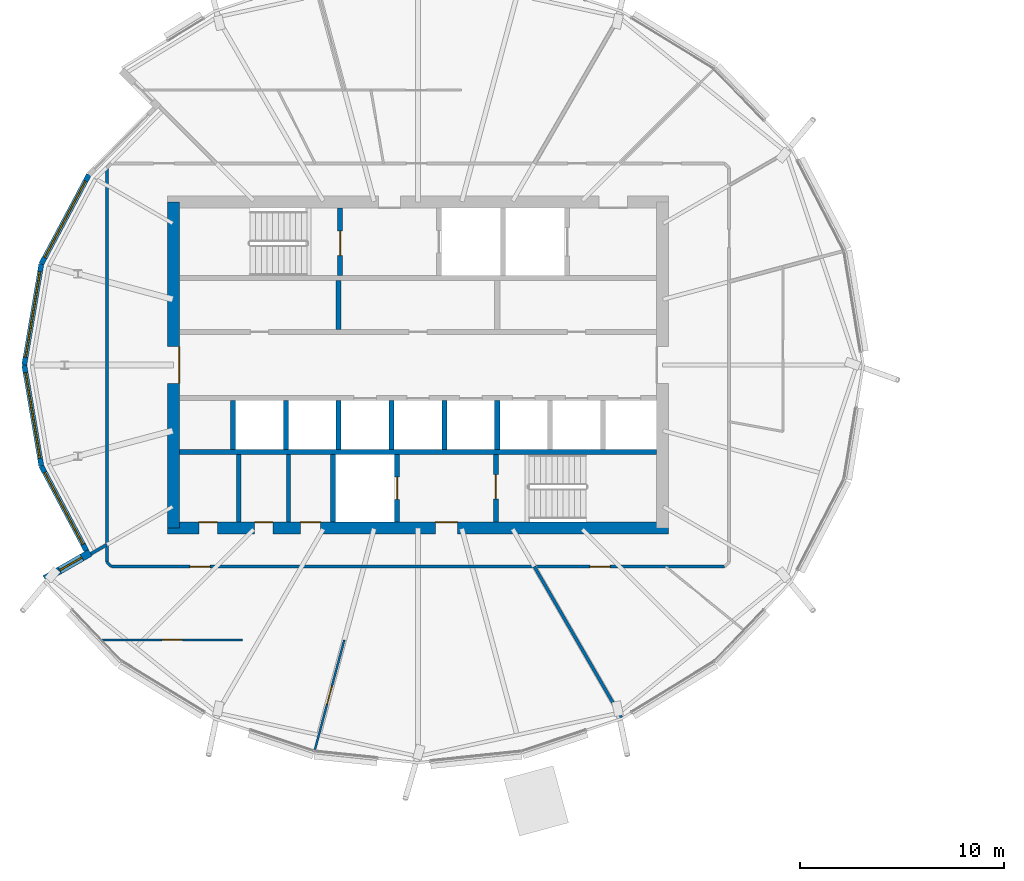
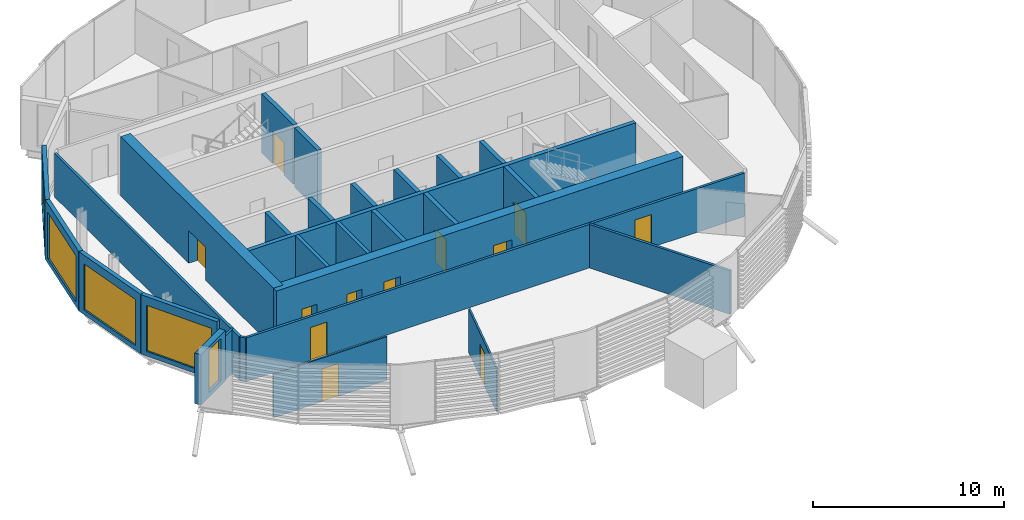
# One storey, part 19 of 38: 28 walls, 12 doors, 5 windows, 17 openings.
"""IFC4 building model written with IfcOpenShell, lengths in metres."""

from ifc_helpers import new_model, si_unit, direction, frame, frame_2d, origin, place, context, subcontext, project, spatial, rectangle, extrude, material, layer, layer_set, type_object, element, fill, save


model = new_model("IFC4")

# Units and contexts
model_context = context("Model", 3, precision=1e-05, world=origin(), true_north=direction((0.0, 1.0)))
body_context = subcontext(model_context, "Body", "Model", "MODEL_VIEW")
ifc_project = project(units=[si_unit("LENGTHUNIT", "METRE"), si_unit("AREAUNIT", "SQUARE_METRE"), si_unit("VOLUMEUNIT", "CUBIC_METRE"), si_unit("PLANEANGLEUNIT", "RADIAN"), si_unit("MASSUNIT", "GRAM", prefix="KILO")], contexts=[model_context])

# Site, building, storey
site_placement = place(None, origin())
site = spatial("IfcSite", under=ifc_project, at=site_placement, CompositionType="ELEMENT")
building_placement = place(site_placement, origin())
building = spatial("IfcBuilding", under=site, at=building_placement, Name="Rimbun Link Towers", CompositionType="ELEMENT")
storey_placement = place(building_placement, frame((0.0, 0.0, 185.5)))
storey = spatial("IfcBuildingStorey", under=building, at=storey_placement, Name="L45", CompositionType="ELEMENT", Elevation=185.5)

# Wall, opening, window
ifc_material_1 = material(Name="Dark enamelled glass spandrel on insulated aluminium backpan", Category="aluminium")
ifc_layer_1 = layer(ifc_material_1, 0.25)
ifc_layer_set_1 = layer_set([ifc_layer_1], Name="CS dark enamelled spandrel wall 250")
wall_type_1 = type_object("IfcWallType", Name="CS dark enamelled spandrel wall 250", PredefinedType="STANDARD", material=ifc_layer_set_1)
wall_1_placement = place(storey_placement, frame((-50.239501953125, 4.962890625, 0.0), z_axis=(0.0, 0.0, 1.0), x_axis=(0.469870717815, 0.882735242607, 0.0)))
wall_1 = element("IfcWall", 1, at=wall_1_placement, inside=storey, type_object=wall_type_1, Name="Crease spandrel wall", PredefinedType="STANDARD", context=body_context, shape_type="SweptSolid", body=[
    extrude(rectangle(XDim=4.963623046875, YDim=0.25, at=frame_2d((2.48193359375, 0.0))), origin(), (0.0, 0.0, 1.0), 3.800048828125),
])
opening_1_placement = place(wall_1_placement, frame((0.35693359375, 0.0, 0.300048828125)))
opening_1 = element("IfcOpeningElement", 2, at=opening_1_placement, cuts=wall_1, Name="Opening WR42H295", PredefinedType="OPENING", context=body_context, shape_type="SweptSolid", body=[
    extrude(rectangle(XDim=4.25, YDim=2.949951171875, at=frame_2d((2.125, 1.47509765625))), frame((0.0, 0.135009765625, 0.0), z_axis=(0.0, -1.0, 0.0), x_axis=(1.0, 0.0, 0.0)), (0.0, 0.0, 1.0), 0.27001953125),
])
ifc_material_2 = material(Name="Aluminium framed fixed window, dark tinted low-e glass", Category="aluminium")
window_type_1 = type_object("IfcWindowType", Name="WR ribbon window 4250X2950", PartitioningType="SINGLE_PANEL", PredefinedType="WINDOW", material=ifc_material_2)
window_1_placement = place(opening_1_placement, origin())
window_1 = element("IfcWindow", 3, at=window_1_placement, inside=storey, type_object=window_type_1, Name="Crease ribbon window", OverallHeight=2.949951171875, OverallWidth=4.25, PartitioningType="SINGLE_PANEL", PredefinedType="WINDOW", context=body_context, shape_type="SweptSolid", body=[
    extrude(rectangle(XDim=4.25, YDim=2.949951171875, at=frame_2d((2.125, 1.47509765625))), frame((0.0, 0.030029296875, 0.0), z_axis=(0.0, -1.0, 0.0), x_axis=(1.0, 0.0, 0.0)), (0.0, 0.0, 1.0), 0.06005859375),
])
fill(opening_1, window_1)

wall_2_placement = place(storey_placement, frame((-51.077880859375, 0.0, 0.0), z_axis=(0.0, 0.0, 1.0), x_axis=(0.166569559795, 0.986029706322, 0.0)))
wall_2 = element("IfcWall", 4, at=wall_2_placement, inside=storey, type_object=wall_type_1, Name="Crease spandrel wall", PredefinedType="STANDARD", context=body_context, shape_type="SweptSolid", body=[
    extrude(rectangle(XDim=5.033203125, YDim=0.25, at=frame_2d((2.5166015625, 0.0))), origin(), (0.0, 0.0, 1.0), 3.800048828125),
])
opening_2_placement = place(wall_2_placement, frame((0.3916015625, 0.0, 0.300048828125)))
opening_2 = element("IfcOpeningElement", 5, at=opening_2_placement, cuts=wall_2, Name="Opening WR42H295", PredefinedType="OPENING", context=body_context, shape_type="SweptSolid", body=[
    extrude(rectangle(XDim=4.25, YDim=2.949951171875, at=frame_2d((2.125, 1.47509765625))), frame((0.0, 0.135009765625, 0.0), z_axis=(0.0, -1.0, 0.0), x_axis=(1.0, 0.0, 0.0)), (0.0, 0.0, 1.0), 0.27001953125),
])
window_2_placement = place(opening_2_placement, origin())
window_2 = element("IfcWindow", 6, at=window_2_placement, inside=storey, type_object=window_type_1, Name="Crease ribbon window", OverallHeight=2.949951171875, OverallWidth=4.25, PartitioningType="SINGLE_PANEL", PredefinedType="WINDOW", context=body_context, shape_type="SweptSolid", body=[
    extrude(rectangle(XDim=4.25, YDim=2.949951171875, at=frame_2d((2.125, 1.47509765625))), frame((0.0, 0.030029296875, 0.0), z_axis=(0.0, -1.0, 0.0), x_axis=(1.0, 0.0, 0.0)), (0.0, 0.0, 1.0), 0.06005859375),
])
fill(opening_2, window_2)

wall_3_placement = place(storey_placement, frame((-50.239501953125, -4.962890625, 0.0), z_axis=(0.0, 0.0, 1.0), x_axis=(-0.166569559795, 0.986029706322, 0.0)))
wall_3 = element("IfcWall", 7, at=wall_3_placement, inside=storey, type_object=wall_type_1, Name="Crease spandrel wall", PredefinedType="STANDARD", context=body_context, shape_type="SweptSolid", body=[
    extrude(rectangle(XDim=5.033203125, YDim=0.25, at=frame_2d((2.5166015625, 0.0))), origin(), (0.0, 0.0, 1.0), 3.800048828125),
])
opening_3_placement = place(wall_3_placement, frame((0.3916015625, 0.0, 0.300048828125)))
opening_3 = element("IfcOpeningElement", 8, at=opening_3_placement, cuts=wall_3, Name="Opening WR42H295", PredefinedType="OPENING", context=body_context, shape_type="SweptSolid", body=[
    extrude(rectangle(XDim=4.25, YDim=2.949951171875, at=frame_2d((2.125, 1.47509765625))), frame((0.0, 0.135009765625, 0.0), z_axis=(0.0, -1.0, 0.0), x_axis=(1.0, 0.0, 0.0)), (0.0, 0.0, 1.0), 0.27001953125),
])
window_3_placement = place(opening_3_placement, origin())
window_3 = element("IfcWindow", 9, at=window_3_placement, inside=storey, type_object=window_type_1, Name="Crease ribbon window", OverallHeight=2.949951171875, OverallWidth=4.25, PartitioningType="SINGLE_PANEL", PredefinedType="WINDOW", context=body_context, shape_type="SweptSolid", body=[
    extrude(rectangle(XDim=4.25, YDim=2.949951171875, at=frame_2d((2.125, 1.47509765625))), frame((0.0, 0.030029296875, 0.0), z_axis=(0.0, -1.0, 0.0), x_axis=(1.0, 0.0, 0.0)), (0.0, 0.0, 1.0), 0.06005859375),
])
fill(opening_3, window_3)

wall_4_placement = place(storey_placement, frame((-48.03125, -9.111328125, 0.0), z_axis=(0.0, 0.0, 1.0), x_axis=(-0.469884338994, 0.882727992061, 0.0)))
wall_4 = element("IfcWall", 10, at=wall_4_placement, inside=storey, type_object=wall_type_1, Name="Crease spandrel wall", PredefinedType="STANDARD", context=body_context, shape_type="SweptSolid", body=[
    extrude(rectangle(XDim=4.699462890625, YDim=0.25, at=frame_2d((2.349609375, 0.0))), origin(), (0.0, 0.0, 1.0), 3.800048828125),
])
opening_4_placement = place(wall_4_placement, frame((0.349853515625, 0.0, 0.300048828125)))
opening_4 = element("IfcOpeningElement", 11, at=opening_4_placement, cuts=wall_4, Name="Opening WR40H295", PredefinedType="OPENING", context=body_context, shape_type="SweptSolid", body=[
    extrude(rectangle(XDim=4.0, YDim=2.949951171875, at=frame_2d((2.0, 1.47509765625))), frame((0.0, 0.135009765625, 0.0), z_axis=(0.0, -1.0, 0.0), x_axis=(1.0, 0.0, 0.0)), (0.0, 0.0, 1.0), 0.27001953125),
])
ifc_material_3 = material(Name="Aluminium framed fixed window, dark tinted low-e glass", Category="aluminium")
window_type_2 = type_object("IfcWindowType", Name="WR ribbon window 4000X2950", PartitioningType="SINGLE_PANEL", PredefinedType="WINDOW", material=ifc_material_3)
window_4_placement = place(opening_4_placement, origin())
window_4 = element("IfcWindow", 12, at=window_4_placement, inside=storey, type_object=window_type_2, Name="Crease ribbon window", OverallHeight=2.949951171875, OverallWidth=4.0, PartitioningType="SINGLE_PANEL", PredefinedType="WINDOW", context=body_context, shape_type="SweptSolid", body=[
    extrude(rectangle(XDim=4.0, YDim=2.949951171875, at=frame_2d((2.0, 1.47509765625))), frame((0.0, 0.030029296875, 0.0), z_axis=(0.0, -1.0, 0.0), x_axis=(1.0, 0.0, 0.0)), (0.0, 0.0, 1.0), 0.06005859375),
])
fill(opening_4, window_4)

ifc_material_4 = material(Name="Dark enamelled glass spandrel on insulated aluminium backpan", Category="aluminium")
ifc_layer_2 = layer(ifc_material_4, 0.3701171875)
ifc_layer_set_2 = layer_set([ifc_layer_2], Name="CS dark enamelled spandrel wall 370")
wall_type_2 = type_object("IfcWallType", Name="CS dark enamelled spandrel wall 370", PredefinedType="STANDARD", material=ifc_layer_set_2)
wall_5_placement = place(storey_placement, frame((-50.072265625, -10.50341796875, 0.0), z_axis=(0.0, 0.0, 1.0), x_axis=(0.866021702275, 0.500006411147, 0.0)))
wall_5 = element("IfcWall", 13, at=wall_5_placement, inside=storey, type_object=wall_type_2, Name="Crease spandrel wall", PredefinedType="STANDARD", context=body_context, shape_type="SweptSolid", body=[
    extrude(rectangle(XDim=2.580078125, YDim=0.3701171875, at=frame_2d((1.2900390625, 0.0))), origin(), (0.0, 0.0, 1.0), 3.233642578125),
])
opening_5_placement = place(wall_5_placement, frame((0.850830078125, 0.0, 0.300048828125)))
opening_5 = element("IfcOpeningElement", 14, at=opening_5_placement, cuts=wall_5, Name="Opening WR12H270", PredefinedType="OPENING", context=body_context, shape_type="SweptSolid", body=[
    extrude(rectangle(XDim=1.25, YDim=2.699951171875, at=frame_2d((0.625, 1.35009765625))), frame((0.0, 0.195068359375, 0.0), z_axis=(0.0, -1.0, 0.0), x_axis=(1.0, 0.0, 0.0)), (0.0, 0.0, 1.0), 0.39013671875),
])
ifc_material_5 = material(Name="Aluminium framed fixed window, dark tinted low-e glass", Category="aluminium")
window_type_3 = type_object("IfcWindowType", Name="WR ribbon window 1250X2700", PartitioningType="SINGLE_PANEL", PredefinedType="WINDOW", material=ifc_material_5)
window_5_placement = place(opening_5_placement, origin())
window_5 = element("IfcWindow", 15, at=window_5_placement, inside=storey, type_object=window_type_3, Name="Crease ribbon window", OverallHeight=2.699951171875, OverallWidth=1.25, PartitioningType="SINGLE_PANEL", PredefinedType="WINDOW", context=body_context, shape_type="SweptSolid", body=[
    extrude(rectangle(XDim=1.25, YDim=2.699951171875, at=frame_2d((0.625, 1.35009765625))), frame((0.0, 0.030029296875, 0.0), z_axis=(0.0, -1.0, 0.0), x_axis=(1.0, 0.0, 0.0)), (0.0, 0.0, 1.0), 0.06005859375),
])
fill(opening_5, window_5)

# Walls
ifc_material_6 = material(Name="Masonry blockwork", Category="masonry")
ifc_layer_3 = layer(ifc_material_6, 0.199951171875)
ifc_layer_set_3 = layer_set([ifc_layer_3], Name="Core partition 200")
wall_type_3 = type_object("IfcWallType", Name="Core partition 200", PredefinedType="PARTITIONING", material=ifc_layer_set_3)
for number, where, z_axis, x_axis, name in (
    (16, (-40.550048828125, -4.39990234375, 0.0), (0.0, 0.0, 1.0), (0.0, -1.0, 0.0), "L45 T1 core wall C1"),
    (17, (-38.10009765625, -4.39990234375, 0.0), (0.0, 0.0, 1.0), (0.0, -1.0, 0.0), "L45 T1 core wall C2"),
):
    element("IfcWall", number, at=place(storey_placement, frame(where, z_axis=z_axis, x_axis=x_axis)), inside=storey, type_object=wall_type_3, Name=name, PredefinedType="PARTITIONING", context=body_context, shape_type="SweptSolid", body=[
        extrude(rectangle(XDim=3.300048828125, YDim=0.199951171875, at=frame_2d((1.64990234375, 0.0))), origin(), (0.0, 0.0, 1.0), 3.800048828125),
    ])

# Wall, openings, doors
ifc_material_7 = material(Name="Concrete C60/75", Category="concrete")
ifc_layer_4 = layer(ifc_material_7, 0.60009765625)
ifc_layer_set_4 = layer_set([ifc_layer_4], Name="Core shear wall 600")
wall_type_4 = type_object("IfcWallType", Name="Core shear wall 600", PredefinedType="SHEAR", material=ifc_layer_set_4)
wall_6_placement = place(storey_placement, frame((-44.050048828125, -8.0, 0.0), z_axis=(0.0, 0.0, 1.0), x_axis=(1.0, 0.0, 0.0)))
wall_6 = element("IfcWall", 18, at=wall_6_placement, inside=storey, type_object=wall_type_4, Name="L45 T1 core wall S", PredefinedType="SHEAR", context=body_context, shape_type="SweptSolid", body=[
    extrude(rectangle(XDim=24.60009765625, YDim=0.60009765625, at=frame_2d((12.300048828125, 0.0))), origin(), (0.0, 0.0, 1.0), 3.800048828125),
])
opening_6_placement = place(wall_6_placement, frame((13.14990234375, 0.0, 0.0)))
opening_6 = element("IfcOpeningElement", 19, at=opening_6_placement, cuts=wall_6, Name="Opening C1DCF01S", PredefinedType="OPENING", context=body_context, shape_type="SweptSolid", body=[
    extrude(rectangle(XDim=1.10009765625, YDim=2.10009765625, at=frame_2d((0.550048828125, 1.050048828125))), frame((0.0, 0.31005859375, 0.0), z_axis=(0.0, -1.0, 0.0), x_axis=(1.0, 0.0, 0.0)), (0.0, 0.0, 1.0), 0.6201171875),
])
opening_7_placement = place(wall_6_placement, frame((1.550048828125, 0.0, 0.0)))
opening_7 = element("IfcOpeningElement", 20, at=opening_7_placement, cuts=wall_6, Name="Opening C1DWC02S", PredefinedType="OPENING", context=body_context, shape_type="SweptSolid", body=[
    extrude(rectangle(XDim=0.89990234375, YDim=2.10009765625, at=frame_2d((0.449951171875, 1.050048828125))), frame((0.0, 0.31005859375, 0.0), z_axis=(0.0, -1.0, 0.0), x_axis=(1.0, 0.0, 0.0)), (0.0, 0.0, 1.0), 0.6201171875),
])
opening_8_placement = place(wall_6_placement, frame((4.27490234375, 0.0, 0.0)))
opening_8 = element("IfcOpeningElement", 21, at=opening_8_placement, cuts=wall_6, Name="Opening C1DWC03S", PredefinedType="OPENING", context=body_context, shape_type="SweptSolid", body=[
    extrude(rectangle(XDim=0.89990234375, YDim=2.10009765625, at=frame_2d((0.449951171875, 1.050048828125))), frame((0.0, 0.31005859375, 0.0), z_axis=(0.0, -1.0, 0.0), x_axis=(1.0, 0.0, 0.0)), (0.0, 0.0, 1.0), 0.6201171875),
])
opening_9_placement = place(wall_6_placement, frame((6.52490234375, 0.0, 0.0)))
opening_9 = element("IfcOpeningElement", 22, at=opening_9_placement, cuts=wall_6, Name="Opening C1DAW04S", PredefinedType="OPENING", context=body_context, shape_type="SweptSolid", body=[
    extrude(rectangle(XDim=1.0, YDim=2.10009765625, at=frame_2d((0.5, 1.050048828125))), frame((0.0, 0.31005859375, 0.0), z_axis=(0.0, -1.0, 0.0), x_axis=(1.0, 0.0, 0.0)), (0.0, 0.0, 1.0), 0.6201171875),
])
ifc_material_8 = material(Name="Timber", Category="wood")
door_type_1 = type_object("IfcDoorType", Name="Accessible WC door", OperationType="SINGLE_SWING_LEFT", PredefinedType="DOOR", material=ifc_material_8)
door_1_placement = place(opening_9_placement, origin())
door_1 = element("IfcDoor", 23, at=door_1_placement, inside=storey, type_object=door_type_1, Name="L45 T1 accessible wc door", OperationType="SINGLE_SWING_LEFT", OverallHeight=2.10009765625, OverallWidth=1.0, PredefinedType="DOOR", context=body_context, shape_type="SweptSolid", body=[
    extrude(rectangle(XDim=1.0, YDim=2.10009765625, at=frame_2d((0.5, 1.050048828125))), frame((0.0, 0.2998046875, 0.0), z_axis=(0.0, -1.0, 0.0), x_axis=(1.0, 0.0, 0.0)), (0.0, 0.0, 1.0), 0.050048828125),
])
fill(opening_9, door_1)
ifc_material_9 = material(Name="Steel fire door set", Category="steel")
door_type_2 = type_object("IfcDoorType", Name="Core fire door single", OperationType="SINGLE_SWING_LEFT", PredefinedType="DOOR", material=ifc_material_9)
door_2_placement = place(opening_6_placement, origin())
door_2 = element("IfcDoor", 24, at=door_2_placement, inside=storey, type_object=door_type_2, Name="L45 T1 firefighting lobby s door", OperationType="SINGLE_SWING_RIGHT", OverallHeight=2.10009765625, OverallWidth=1.10009765625, PredefinedType="DOOR", context=body_context, shape_type="SweptSolid", body=[
    extrude(rectangle(XDim=1.10009765625, YDim=2.10009765625, at=frame_2d((0.550048828125, 1.050048828125))), frame((0.0, 0.2998046875, 0.0), z_axis=(0.0, -1.0, 0.0), x_axis=(1.0, 0.0, 0.0)), (0.0, 0.0, 1.0), 0.050048828125),
])
fill(opening_6, door_2)
ifc_material_10 = material(Name="Timber", Category="wood")
door_type_3 = type_object("IfcDoorType", Name="WC door", OperationType="SINGLE_SWING_LEFT", PredefinedType="DOOR", material=ifc_material_10)
door_3_placement = place(opening_7_placement, origin())
door_3 = element("IfcDoor", 25, at=door_3_placement, inside=storey, type_object=door_type_3, Name="L45 T1 male wc door", OperationType="SINGLE_SWING_RIGHT", OverallHeight=2.10009765625, OverallWidth=0.89990234375, PredefinedType="DOOR", context=body_context, shape_type="SweptSolid", body=[
    extrude(rectangle(XDim=0.89990234375, YDim=2.10009765625, at=frame_2d((0.449951171875, 1.050048828125))), frame((0.0, 0.2998046875, 0.0), z_axis=(0.0, -1.0, 0.0), x_axis=(1.0, 0.0, 0.0)), (0.0, 0.0, 1.0), 0.050048828125),
])
fill(opening_7, door_3)
door_4_placement = place(opening_8_placement, origin())
door_4 = element("IfcDoor", 26, at=door_4_placement, inside=storey, type_object=door_type_3, Name="L45 T1 female wc door", OperationType="SINGLE_SWING_RIGHT", OverallHeight=2.10009765625, OverallWidth=0.89990234375, PredefinedType="DOOR", context=body_context, shape_type="SweptSolid", body=[
    extrude(rectangle(XDim=0.89990234375, YDim=2.10009765625, at=frame_2d((0.449951171875, 1.050048828125))), frame((0.0, 0.2998046875, 0.0), z_axis=(0.0, -1.0, 0.0), x_axis=(1.0, 0.0, 0.0)), (0.0, 0.0, 1.0), 0.050048828125),
])
fill(opening_8, door_4)

# Wall, opening, door
wall_7_placement = place(storey_placement, frame((-43.75, -8.0, 0.0), z_axis=(0.0, 0.0, 1.0), x_axis=(0.0, 1.0, 0.0)))
wall_7 = element("IfcWall", 27, at=wall_7_placement, inside=storey, type_object=wall_type_4, Name="L45 T1 core wall W", PredefinedType="SHEAR", context=body_context, shape_type="SweptSolid", body=[
    extrude(rectangle(XDim=16.0, YDim=0.60009765625, at=frame_2d((8.0, 0.0))), origin(), (0.0, 0.0, 1.0), 3.800048828125),
])
opening_10_placement = place(wall_7_placement, frame((7.10009765625, 0.0, 0.0)))
opening_10 = element("IfcOpeningElement", 28, at=opening_10_placement, cuts=wall_7, Name="Opening C1DCL01W", PredefinedType="OPENING", context=body_context, shape_type="SweptSolid", body=[
    extrude(rectangle(XDim=1.800048828125, YDim=2.10009765625, at=frame_2d((0.89990234375, 1.050048828125))), frame((0.0, 0.31005859375, 0.0), z_axis=(0.0, -1.0, 0.0), x_axis=(1.0, 0.0, 0.0)), (0.0, 0.0, 1.0), 0.6201171875),
])
ifc_material_11 = material(Name="Steel fire door set", Category="steel")
door_type_4 = type_object("IfcDoorType", Name="Core lobby door double", OperationType="DOUBLE_DOOR_SINGLE_SWING", PredefinedType="DOOR", material=ifc_material_11)
door_5_placement = place(opening_10_placement, origin())
door_5 = element("IfcDoor", 29, at=door_5_placement, inside=storey, type_object=door_type_4, Name="L45 T1 lift lobby door", OperationType="DOUBLE_DOOR_SINGLE_SWING", OverallHeight=2.10009765625, OverallWidth=1.800048828125, PredefinedType="DOOR", context=body_context, shape_type="SweptSolid", body=[
    extrude(rectangle(XDim=1.800048828125, YDim=2.10009765625, at=frame_2d((0.89990234375, 1.050048828125))), frame((0.0, -0.25, 0.0), z_axis=(0.0, -1.0, 0.0), x_axis=(1.0, 0.0, 0.0)), (0.0, 0.0, 1.0), 0.050048828125),
])
fill(opening_10, door_5)

# Wall, openings, doors
ifc_material_12 = material(Name="Plasterboard on steel stud, mineral wool", Category="steel")
ifc_layer_5 = layer(ifc_material_12, 0.14990234375)
ifc_layer_set_5 = layer_set([ifc_layer_5], Name="Corridor wall EI 30 150 mm")
wall_type_5 = type_object("IfcWallType", Name="Corridor wall EI 30 150 mm", PredefinedType="PARTITIONING", material=ifc_layer_set_5)
wall_8_placement = place(storey_placement, frame((-16.6962890625, -9.89501953125, 0.0), z_axis=(0.0, 0.0, 1.0), x_axis=(-1.0, 0.0, 0.0)))
wall_8 = element("IfcWall", 30, at=wall_8_placement, inside=storey, type_object=wall_type_5, Name="Corridor wall EI 30 150 mm", PredefinedType="PARTITIONING", context=body_context, shape_type="SweptSolid", body=[
    extrude(rectangle(XDim=30.107421875, YDim=0.14990234375, at=frame_2d((15.0537109375, 0.0))), origin(), (0.0, 0.0, 1.0), 2.7890625),
])
opening_11_placement = place(wall_8_placement, frame((25.255615234375, 0.0, 0.0)))
opening_11 = element("IfcOpeningElement", 31, at=opening_11_placement, cuts=wall_8, Name="Opening D01", PredefinedType="OPENING", context=body_context, shape_type="SweptSolid", body=[
    extrude(rectangle(XDim=1.0, YDim=2.10009765625, at=frame_2d((0.5, 1.050048828125))), frame((0.0, 0.0849609375, 0.0), z_axis=(0.0, -1.0, 0.0), x_axis=(1.0, 0.0, 0.0)), (0.0, 0.0, 1.0), 0.169921875),
])
opening_12_placement = place(wall_8_placement, frame((5.614501953125, 0.0, 0.0)))
opening_12 = element("IfcOpeningElement", 32, at=opening_12_placement, cuts=wall_8, Name="Opening D01", PredefinedType="OPENING", context=body_context, shape_type="SweptSolid", body=[
    extrude(rectangle(XDim=1.0, YDim=2.10009765625, at=frame_2d((0.5, 1.050048828125))), frame((0.0, 0.0849609375, 0.0), z_axis=(0.0, -1.0, 0.0), x_axis=(1.0, 0.0, 0.0)), (0.0, 0.0, 1.0), 0.169921875),
])
ifc_material_13 = material(Name="Fire-resisting timber door leaf", Category="wood")
door_type_5 = type_object("IfcDoorType", Name="Fire door FD30S 1000", OperationType="NOTDEFINED", PredefinedType="DOOR", material=ifc_material_13)
door_6_placement = place(opening_11_placement, origin())
door_6 = element("IfcDoor", 33, at=door_6_placement, inside=storey, type_object=door_type_5, Name="Fire door FD30S 1000 to Tenant lobby", OperationType="SINGLE_SWING_LEFT", OverallHeight=2.10009765625, OverallWidth=1.0, PredefinedType="DOOR", context=body_context, shape_type="SweptSolid", body=[
    extrude(rectangle(XDim=1.0, YDim=2.10009765625, at=frame_2d((0.5, 1.050048828125))), frame((0.0, 0.02490234375, 0.0), z_axis=(0.0, -1.0, 0.0), x_axis=(1.0, 0.0, 0.0)), (0.0, 0.0, 1.0), 0.050048828125),
])
fill(opening_11, door_6)
door_7_placement = place(opening_12_placement, origin())
door_7 = element("IfcDoor", 34, at=door_7_placement, inside=storey, type_object=door_type_5, Name="Fire door FD30S 1000 to Tenant lobby", OperationType="SINGLE_SWING_RIGHT", OverallHeight=2.10009765625, OverallWidth=1.0, PredefinedType="DOOR", context=body_context, shape_type="SweptSolid", body=[
    extrude(rectangle(XDim=1.0, YDim=2.10009765625, at=frame_2d((0.5, 1.050048828125))), frame((0.0, 0.02490234375, 0.0), z_axis=(0.0, -1.0, 0.0), x_axis=(1.0, 0.0, 0.0)), (0.0, 0.0, 1.0), 0.050048828125),
])
fill(opening_12, door_7)

# Walls
wall_9_placement = place(storey_placement, frame((-47.02490234375, -9.673583984375, 0.0), z_axis=(0.0, 0.0, 1.0), x_axis=(0.706716653396, -0.707496693853, 0.0)))
element("IfcWall", 35, at=wall_9_placement, inside=storey, type_object=wall_type_5, Name="Corridor wall EI 30 150 mm", PredefinedType="PARTITIONING", context=body_context, shape_type="SweptSolid", body=[
    extrude(rectangle(XDim=0.31298828125, YDim=0.14990234375, at=frame_2d((0.156494140625, 0.0))), origin(), (0.0, 0.0, 1.0), 2.7890625),
])
wall_10_placement = place(storey_placement, frame((-47.02490234375, 9.673583984375, 0.0), z_axis=(0.0, 0.0, 1.0), x_axis=(0.0, -1.0, 0.0)))
element("IfcWall", 36, at=wall_10_placement, inside=storey, type_object=wall_type_5, Name="Corridor wall EI 30 150 mm", PredefinedType="PARTITIONING", context=body_context, shape_type="SweptSolid", body=[
    extrude(rectangle(XDim=19.34716796875, YDim=0.14990234375, at=frame_2d((9.673583984375, 0.0))), origin(), (0.0, 0.0, 1.0), 2.7890625),
])

# Wall, opening, door
ifc_material_14 = material(Name="Plasterboard on steel stud", Category="steel")
ifc_layer_6 = layer(ifc_material_14, 0.10009765625)
ifc_layer_set_6 = layer_set([ifc_layer_6], Name="Plasterboard partition 100 mm")
wall_type_6 = type_object("IfcWallType", Name="Plasterboard partition 100 mm", PredefinedType="PARTITIONING", material=ifc_layer_set_6)
wall_11_placement = place(storey_placement, frame((-40.37451171875, -13.4951171875, 0.0), z_axis=(0.0, 0.0, 1.0), x_axis=(-1.0, 0.0, 0.0)))
wall_11 = element("IfcWall", 37, at=wall_11_placement, inside=storey, type_object=wall_type_6, Name="Plasterboard partition 100 mm", PredefinedType="PARTITIONING", context=body_context, shape_type="SweptSolid", body=[
    extrude(rectangle(XDim=6.877685546875, YDim=0.10009765625, at=frame_2d((3.43896484375, 0.0))), origin(), (0.0, 0.0, 1.0), 2.7890625),
])
opening_13_placement = place(wall_11_placement, frame((2.938720703125, 0.0, 0.0)))
opening_13 = element("IfcOpeningElement", 38, at=opening_13_placement, cuts=wall_11, Name="Opening D03", PredefinedType="OPENING", context=body_context, shape_type="SweptSolid", body=[
    extrude(rectangle(XDim=1.0, YDim=2.10009765625, at=frame_2d((0.5, 1.050048828125))), frame((0.0, 0.06005859375, 0.0), z_axis=(0.0, -1.0, 0.0), x_axis=(1.0, 0.0, 0.0)), (0.0, 0.0, 1.0), 0.1201171875),
])
ifc_material_15 = material(Name="Timber door leaf", Category="wood")
door_type_6 = type_object("IfcDoorType", Name="Flush door 1000", OperationType="NOTDEFINED", PredefinedType="DOOR", material=ifc_material_15)
door_8_placement = place(opening_13_placement, origin())
door_8 = element("IfcDoor", 39, at=door_8_placement, inside=storey, type_object=door_type_6, Name="Flush door 1000 to Open office", OperationType="SINGLE_SWING_RIGHT", OverallHeight=2.10009765625, OverallWidth=1.0, PredefinedType="DOOR", context=body_context, shape_type="SweptSolid", body=[
    extrude(rectangle(XDim=1.0, YDim=2.10009765625, at=frame_2d((0.5, 1.050048828125))), frame((0.0, 0.02490234375, 0.0), z_axis=(0.0, -1.0, 0.0), x_axis=(1.0, 0.0, 0.0)), (0.0, 0.0, 1.0), 0.050048828125),
])
fill(opening_13, door_8)

wall_12_placement = place(storey_placement, frame((-35.365966796875, -13.4951171875, 0.0), z_axis=(0.0, 0.0, 1.0), x_axis=(-0.258823547375, -0.965924619897, 0.0)))
wall_12 = element("IfcWall", 40, at=wall_12_placement, inside=storey, type_object=wall_type_6, Name="Plasterboard partition 100 mm", PredefinedType="PARTITIONING", context=body_context, shape_type="SweptSolid", body=[
    extrude(rectangle(XDim=5.62744140625, YDim=0.10009765625, at=frame_2d((2.813720703125, 0.0))), origin(), (0.0, 0.0, 1.0), 2.7890625),
])
opening_14_placement = place(wall_12_placement, frame((2.36376953125, 0.0, 0.0)))
opening_14 = element("IfcOpeningElement", 41, at=opening_14_placement, cuts=wall_12, Name="Opening D04", PredefinedType="OPENING", context=body_context, shape_type="SweptSolid", body=[
    extrude(rectangle(XDim=0.89990234375, YDim=2.10009765625, at=frame_2d((0.449951171875, 1.050048828125))), frame((0.0, 0.06005859375, 0.0), z_axis=(0.0, -1.0, 0.0), x_axis=(1.0, 0.0, 0.0)), (0.0, 0.0, 1.0), 0.1201171875),
])
ifc_material_16 = material(Name="Timber door leaf", Category="wood")
door_type_7 = type_object("IfcDoorType", Name="Flush door 900", OperationType="NOTDEFINED", PredefinedType="DOOR", material=ifc_material_16)
door_9_placement = place(opening_14_placement, origin())
door_9 = element("IfcDoor", 42, at=door_9_placement, inside=storey, type_object=door_type_7, Name="Flush door 900 to Project room", OperationType="SINGLE_SWING_LEFT", OverallHeight=2.10009765625, OverallWidth=0.89990234375, PredefinedType="DOOR", context=body_context, shape_type="SweptSolid", body=[
    extrude(rectangle(XDim=0.89990234375, YDim=2.10009765625, at=frame_2d((0.449951171875, 1.050048828125))), frame((0.0, 0.02490234375, 0.0), z_axis=(0.0, -1.0, 0.0), x_axis=(1.0, 0.0, 0.0)), (0.0, 0.0, 1.0), 0.050048828125),
])
fill(opening_14, door_9)

# Walls
ifc_material_17 = material(Name="Concrete C60/75", Category="concrete")
ifc_layer_7 = layer(ifc_material_17, 0.25)
ifc_layer_set_7 = layer_set([ifc_layer_7], Name="Shaft wall 250")
wall_type_7 = type_object("IfcWallType", Name="Shaft wall 250", PredefinedType="SHEAR", material=ifc_layer_set_7)
wall_13_placement = place(storey_placement, frame((-43.449951171875, -4.27490234375, 0.0), z_axis=(0.0, 0.0, 1.0), x_axis=(1.0, 0.0, 0.0)))
element("IfcWall", 43, at=wall_13_placement, inside=storey, type_object=wall_type_7, Name="L45 T1 core wall BS", PredefinedType="SHEAR", context=body_context, shape_type="SweptSolid", body=[
    extrude(rectangle(XDim=23.39990234375, YDim=0.25, at=frame_2d((11.699951171875, 0.0))), origin(), (0.0, 0.0, 1.0), 3.800048828125),
])
for number, where, z_axis, x_axis, name in (
    (44, (-35.6416015625, 1.75, 0.0), (0.0, 0.0, 1.0), (0.0, 1.0, 0.0), "L45 T1 core wall DN2"),
    (45, (-40.83056640625, -4.14990234375, 0.0), (0.0, 0.0, 1.0), (0.0, 1.0, 0.0), "L45 T1 core wall DS0"),
    (46, (-38.236083984375, -4.14990234375, 0.0), (0.0, 0.0, 1.0), (0.0, 1.0, 0.0), "L45 T1 core wall DS1"),
    (47, (-35.6416015625, -4.14990234375, 0.0), (0.0, 0.0, 1.0), (0.0, 1.0, 0.0), "L45 T1 core wall DS2"),
    (48, (-33.047119140625, -4.14990234375, 0.0), (0.0, 0.0, 1.0), (0.0, 1.0, 0.0), "L45 T1 core wall DS3"),
    (49, (-30.452880859375, -4.14990234375, 0.0), (0.0, 0.0, 1.0), (0.0, 1.0, 0.0), "L45 T1 core wall DS4"),
    (50, (-27.8583984375, -4.14990234375, 0.0), (0.0, 0.0, 1.0), (0.0, 1.0, 0.0), "L45 T1 core wall DS5"),
):
    element("IfcWall", number, at=place(storey_placement, frame(where, z_axis=z_axis, x_axis=x_axis)), inside=storey, type_object=wall_type_7, Name=name, PredefinedType="SHEAR", context=body_context, shape_type="SweptSolid", body=[
        extrude(rectangle(XDim=2.39990234375, YDim=0.25, at=frame_2d((1.199951171875, 0.0))), origin(), (0.0, 0.0, 1.0), 3.800048828125),
    ])

# Wall, opening, door
wall_14_placement = place(storey_placement, frame((-35.574951171875, 4.39990234375, 0.0), z_axis=(0.0, 0.0, 1.0), x_axis=(0.0, 1.0, 0.0)))
wall_14 = element("IfcWall", 51, at=wall_14_placement, inside=storey, type_object=wall_type_7, Name="L45 T1 core wall A1", PredefinedType="SHEAR", context=body_context, shape_type="SweptSolid", body=[
    extrude(rectangle(XDim=3.300048828125, YDim=0.25, at=frame_2d((1.64990234375, 0.0))), origin(), (0.0, 0.0, 1.0), 3.800048828125),
])
opening_15_placement = place(wall_14_placement, frame((0.97509765625, 0.0, 0.0)))
opening_15 = element("IfcOpeningElement", 52, at=opening_15_placement, cuts=wall_14, Name="Opening C1DST01A1", PredefinedType="OPENING", context=body_context, shape_type="SweptSolid", body=[
    extrude(rectangle(XDim=1.199951171875, YDim=2.10009765625, at=frame_2d((0.60009765625, 1.050048828125))), frame((0.0, 0.135009765625, 0.0), z_axis=(0.0, -1.0, 0.0), x_axis=(1.0, 0.0, 0.0)), (0.0, 0.0, 1.0), 0.27001953125),
])
ifc_material_18 = material(Name="Steel fire door set", Category="steel")
door_type_8 = type_object("IfcDoorType", Name="Stair door", OperationType="SINGLE_SWING_LEFT", PredefinedType="DOOR", material=ifc_material_18)
door_10_placement = place(opening_15_placement, origin())
door_10 = element("IfcDoor", 53, at=door_10_placement, inside=storey, type_object=door_type_8, Name="L45 T1 stair a door", OperationType="SINGLE_SWING_RIGHT", OverallHeight=2.10009765625, OverallWidth=1.199951171875, PredefinedType="DOOR", context=body_context, shape_type="SweptSolid", body=[
    extrude(rectangle(XDim=1.199951171875, YDim=2.10009765625, at=frame_2d((0.60009765625, 1.050048828125))), frame((0.0, 0.02490234375, 0.0), z_axis=(0.0, -1.0, 0.0), x_axis=(1.0, 0.0, 0.0)), (0.0, 0.0, 1.0), 0.050048828125),
])
fill(opening_15, door_10)

wall_15_placement = place(storey_placement, frame((-27.925048828125, -4.39990234375, 0.0), z_axis=(0.0, 0.0, 1.0), x_axis=(0.0, -1.0, 0.0)))
wall_15 = element("IfcWall", 54, at=wall_15_placement, inside=storey, type_object=wall_type_7, Name="L45 T1 core wall B1", PredefinedType="SHEAR", context=body_context, shape_type="SweptSolid", body=[
    extrude(rectangle(XDim=3.300048828125, YDim=0.25, at=frame_2d((1.64990234375, 0.0))), origin(), (0.0, 0.0, 1.0), 3.800048828125),
])
opening_16_placement = place(wall_15_placement, frame((0.97509765625, 0.0, 0.0)))
opening_16 = element("IfcOpeningElement", 55, at=opening_16_placement, cuts=wall_15, Name="Opening C1DST01B1", PredefinedType="OPENING", context=body_context, shape_type="SweptSolid", body=[
    extrude(rectangle(XDim=1.199951171875, YDim=2.10009765625, at=frame_2d((0.60009765625, 1.050048828125))), frame((0.0, 0.135009765625, 0.0), z_axis=(0.0, -1.0, 0.0), x_axis=(1.0, 0.0, 0.0)), (0.0, 0.0, 1.0), 0.27001953125),
])
door_11_placement = place(opening_16_placement, origin())
door_11 = element("IfcDoor", 56, at=door_11_placement, inside=storey, type_object=door_type_8, Name="L45 T1 stair b door", OperationType="SINGLE_SWING_LEFT", OverallHeight=2.10009765625, OverallWidth=1.199951171875, PredefinedType="DOOR", context=body_context, shape_type="SweptSolid", body=[
    extrude(rectangle(XDim=1.199951171875, YDim=2.10009765625, at=frame_2d((0.60009765625, 1.050048828125))), frame((0.0, 0.02490234375, 0.0), z_axis=(0.0, -1.0, 0.0), x_axis=(1.0, 0.0, 0.0)), (0.0, 0.0, 1.0), 0.050048828125),
])
fill(opening_16, door_11)

wall_16_placement = place(storey_placement, frame((-32.77490234375, -4.39990234375, 0.0), z_axis=(0.0, 0.0, 1.0), x_axis=(0.0, -1.0, 0.0)))
wall_16 = element("IfcWall", 57, at=wall_16_placement, inside=storey, type_object=wall_type_7, Name="L45 T1 core wall B2", PredefinedType="SHEAR", context=body_context, shape_type="SweptSolid", body=[
    extrude(rectangle(XDim=3.300048828125, YDim=0.25, at=frame_2d((1.64990234375, 0.0))), origin(), (0.0, 0.0, 1.0), 3.800048828125),
])
opening_17_placement = place(wall_16_placement, frame((1.10009765625, 0.0, 0.0)))
opening_17 = element("IfcOpeningElement", 58, at=opening_17_placement, cuts=wall_16, Name="Opening LD-T1-FF2", PredefinedType="OPENING", context=body_context, shape_type="SweptSolid", body=[
    extrude(rectangle(XDim=1.10009765625, YDim=2.10009765625, at=frame_2d((0.550048828125, 1.050048828125))), frame((0.0, 0.135009765625, 0.0), z_axis=(0.0, -1.0, 0.0), x_axis=(1.0, 0.0, 0.0)), (0.0, 0.0, 1.0), 0.27001953125),
])
ifc_material_19 = material(Name="Stainless steel grade 316", Category="steel")
door_type_9 = type_object("IfcDoorType", Name="Lift landing door", OperationType="DOUBLE_DOOR_SLIDING", PredefinedType="DOOR", material=ifc_material_19)
door_12_placement = place(opening_17_placement, origin())
door_12 = element("IfcDoor", 59, at=door_12_placement, inside=storey, type_object=door_type_9, Name="L45 T1 lift FF2 landing door", OperationType="DOUBLE_DOOR_SLIDING", OverallHeight=2.10009765625, OverallWidth=1.10009765625, PredefinedType="DOOR", context=body_context, shape_type="SweptSolid", body=[
    extrude(rectangle(XDim=1.10009765625, YDim=2.10009765625, at=frame_2d((0.550048828125, 1.050048828125))), frame((0.0, 0.02490234375, 0.0), z_axis=(0.0, -1.0, 0.0), x_axis=(1.0, 0.0, 0.0)), (0.0, 0.0, 1.0), 0.050048828125),
])
fill(opening_17, door_12)

# Walls
wall_17_placement = place(storey_placement, frame((-35.925048828125, -4.39990234375, 0.0), z_axis=(0.0, 0.0, 1.0), x_axis=(0.0, -1.0, 0.0)))
element("IfcWall", 60, at=wall_17_placement, inside=storey, type_object=wall_type_7, Name="L45 T1 core wall B3", PredefinedType="SHEAR", context=body_context, shape_type="SweptSolid", body=[
    extrude(rectangle(XDim=3.300048828125, YDim=0.25, at=frame_2d((1.64990234375, 0.0))), origin(), (0.0, 0.0, 1.0), 3.800048828125),
])
ifc_material_20 = material(Name="Plasterboard on steel stud, mineral wool", Category="steel")
ifc_layer_8 = layer(ifc_material_20, 0.14990234375)
ifc_layer_set_8 = layer_set([ifc_layer_8], Name="Tenancy separation wall EI 60 150 mm")
wall_type_8 = type_object("IfcWallType", Name="Tenancy separation wall EI 60 150 mm", PredefinedType="PARTITIONING", material=ifc_layer_set_8)
wall_18_placement = place(storey_placement, frame((-47.02490234375, -8.819091796875, 0.0), z_axis=(0.0, 0.0, 1.0), x_axis=(-0.866117924323, -0.499839715476, 0.0)))
element("IfcWall", 61, at=wall_18_placement, inside=storey, type_object=wall_type_8, Name="Tenancy separation wall EI 60 150 mm", PredefinedType="PARTITIONING", context=body_context, shape_type="SweptSolid", body=[
    extrude(rectangle(XDim=0.901123046875, YDim=0.14990234375, at=frame_2d((0.45068359375, 0.0))), origin(), (0.0, 0.0, 1.0), 2.7890625),
])
wall_19_placement = place(storey_placement, frame((-26.037109375, -9.89501953125, 0.0), z_axis=(0.0, 0.0, 1.0), x_axis=(0.499998391746, -0.866026332309, 0.0)))
element("IfcWall", 62, at=wall_19_placement, inside=storey, type_object=wall_type_8, Name="Tenancy separation wall EI 60 150 mm", PredefinedType="PARTITIONING", context=body_context, shape_type="SweptSolid", body=[
    extrude(rectangle(XDim=8.55224609375, YDim=0.14990234375, at=frame_2d((4.276123046875, 0.0))), origin(), (0.0, 0.0, 1.0), 2.7890625),
])

save(model, "model.ifc")
